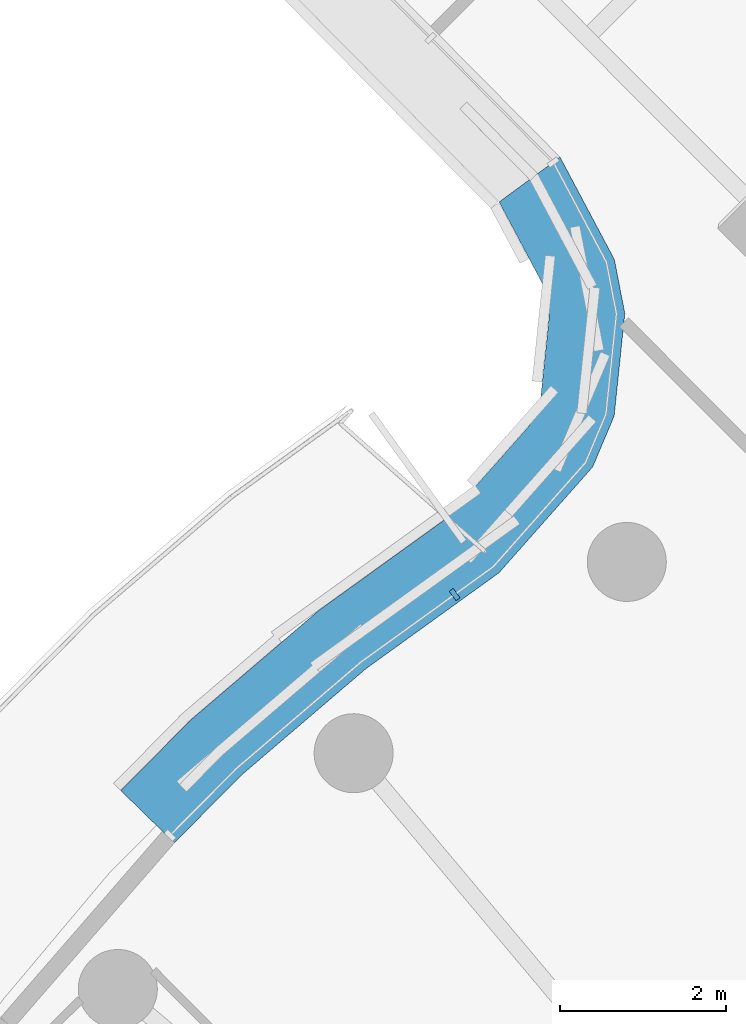
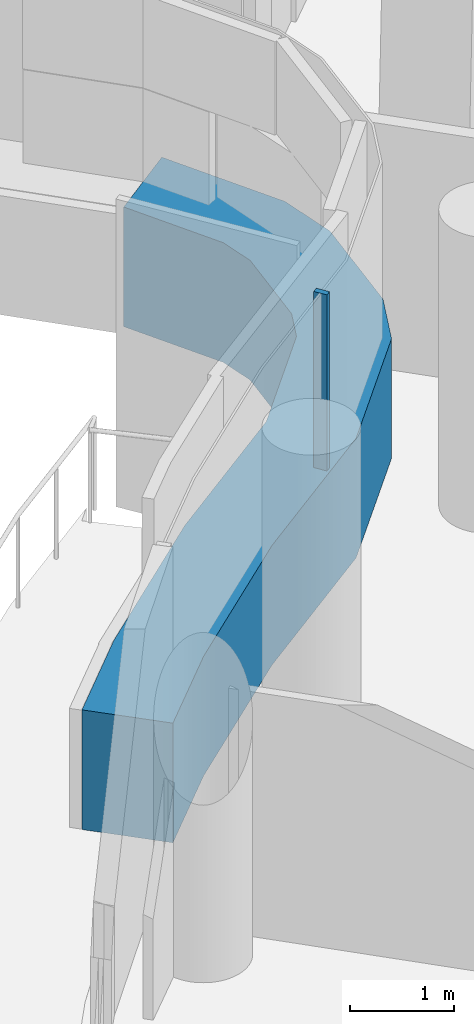
# One storey, part 10 of 31: 2 members, 1 element without a shape of its own.
"""IFC4 building model written with IfcOpenShell, lengths in metres."""

import ifcopenshell
import ifcopenshell.guid

model = None  # the IFC model being written
_history = None  # IfcOwnerHistory: only IFC2X3 demands one
_inside = {}  # id of a spatial element -> (the spatial element, [elements in it])
_under = {}  # id of a project, library or spatial element -> (it, [spatial elements below it])
_declared = {}  # id of a project -> (the project, [libraries it declares])
_typed = {}  # id of a type object -> (the type object, [elements of that type])
_made_of = {}  # id of a material, layer set ... -> (it, [elements and type objects made of it])


def new_model(schema):
    """Start an empty IFC model of exactly this schema.

    Asked for "IFC4X3", IfcOpenShell would pick the latest addendum, in which some entities
    have other attributes; the version numbers below select the first issue.
    IFC2X3 requires an IfcOwnerHistory on every rooted entity: one is made here for all.
    """
    global model, _history
    if schema == "IFC4X3":
        model = ifcopenshell.file(schema_version=(4, 3, 0, 0))
    else:
        model = ifcopenshell.file(schema=schema)
    _inside.clear()
    _under.clear()
    _declared.clear()
    _typed.clear()
    _made_of.clear()
    _history = None
    if model.schema == "IFC2X3":
        org = make("IfcOrganization", Name="unknown")
        user = make(
            "IfcPersonAndOrganization",
            ThePerson=make("IfcPerson", FamilyName="unknown"),
            TheOrganization=org,
        )
        app = make(
            "IfcApplication",
            ApplicationDeveloper=org,
            Version="unknown",
            ApplicationFullName="unknown",
            ApplicationIdentifier="unknown",
        )
        _history = make(
            "IfcOwnerHistory",
            OwningUser=user,
            OwningApplication=app,
            ChangeAction="ADDED",
            CreationDate=0,
        )
    return model


def make(cls, **values):
    """One entity of the class cls with the attributes given. An attribute that is None is left unset."""
    return model.create_entity(
        cls, **{name: value for name, value in values.items() if value is not None}
    )


def rooted(cls, **values):
    """An entity with a GlobalId (a new one), such as an element, a storey or a relation."""
    return make(cls, GlobalId=ifcopenshell.guid.new(), OwnerHistory=_history, **values)


def si_unit(unit_type, name, prefix=None):
    """IfcSIUnit, for example si_unit("LENGTHUNIT", "METRE", prefix="MILLI")."""
    return make("IfcSIUnit", UnitType=unit_type, Prefix=prefix, Name=name)


def assignment(units):
    """IfcUnitAssignment: the units of a project."""
    return None if units is None else make("IfcUnitAssignment", Units=units)


def point(xyz):
    """IfcCartesianPoint."""
    return None if xyz is None else make("IfcCartesianPoint", Coordinates=xyz)


def direction(xyz):
    """IfcDirection."""
    return None if xyz is None else make("IfcDirection", DirectionRatios=xyz)


def frame(location, z_axis=None, x_axis=None):
    """IfcAxis2Placement3D, a coordinate frame: its origin and axes. An axis left out is left unset."""
    return make(
        "IfcAxis2Placement3D",
        Location=point(location),
        Axis=direction(z_axis),
        RefDirection=direction(x_axis),
    )


def frame_2d(location, x_axis=None):
    """IfcAxis2Placement2D, a coordinate frame in the plane: its origin and x axis."""
    return make(
        "IfcAxis2Placement2D", Location=point(location), RefDirection=direction(x_axis)
    )


def origin():
    """The frame at (0, 0, 0) with its axes left unset."""
    return frame((0.0, 0.0, 0.0))


def origin_2d():
    """The frame at (0, 0) in the plane with its x axis left unset."""
    return frame_2d((0.0, 0.0))


def place(relative_to, where):
    """IfcLocalPlacement: puts the frame where relative to a parent placement (None: the world)."""
    return make(
        "IfcLocalPlacement", PlacementRelTo=relative_to, RelativePlacement=where
    )


def context(
    kind, dimensions, precision=None, world=None, true_north=None, identifier=None
):
    """IfcGeometricRepresentationContext, for example the 3D "Model" context."""
    return make(
        "IfcGeometricRepresentationContext",
        ContextIdentifier=identifier,
        ContextType=kind,
        CoordinateSpaceDimension=dimensions,
        Precision=precision,
        WorldCoordinateSystem=world,
        TrueNorth=true_north,
    )


def subcontext(parent, identifier, kind, view, scale=None):
    """IfcGeometricRepresentationSubContext, for example "Body" below "Model"."""
    return make(
        "IfcGeometricRepresentationSubContext",
        ContextIdentifier=identifier,
        ContextType=kind,
        ParentContext=parent,
        TargetScale=scale,
        TargetView=view,
    )


def project(units=None, contexts=None):
    """IfcProject with its units and contexts."""
    return rooted(
        "IfcProject",
        Name="project",
        RepresentationContexts=contexts,
        UnitsInContext=assignment(units),
    )


def spatial(cls, under=None, at=None, **own):
    """A site, building, storey or space (cls), placed at a placement, below another one or the project."""
    s = rooted(cls, ObjectPlacement=at, **own)
    if under is not None:
        _under.setdefault(under.id(), (under, []))[1].append(s)
    return s


def polyline(points):
    """IfcPolyline through the points."""
    return make("IfcPolyline", Points=[point(p) for p in points])


def profile(cls, at=None, kind="AREA", **sizes):
    """A parametric profile (cls). Its sizes go by their IFC names, for example OverallWidth=200.0."""
    return make(cls, ProfileType=kind, Position=at, **sizes)


def rectangle(**sizes):
    """IfcRectangleProfileDef."""
    return profile("IfcRectangleProfileDef", **sizes)


def outline(outer, holes=None, kind="AREA"):
    """IfcArbitraryClosedProfileDef: a profile drawn as a closed curve; with holes, ...WithVoids."""
    if holes is None:
        return make("IfcArbitraryClosedProfileDef", ProfileType=kind, OuterCurve=outer)
    return make(
        "IfcArbitraryProfileDefWithVoids",
        ProfileType=kind,
        OuterCurve=outer,
        InnerCurves=holes,
    )


def extrude(swept, where, along, depth):
    """IfcExtrudedAreaSolid: the profile swept, set in the frame where, extruded along a direction by depth."""
    return make(
        "IfcExtrudedAreaSolid",
        SweptArea=swept,
        Position=where,
        ExtrudedDirection=direction(along),
        Depth=depth,
    )


def shape(context_of_items, identifier, shape_type, items):
    """IfcShapeRepresentation: the items that make up one representation, for example the "Body"."""
    return make(
        "IfcShapeRepresentation",
        ContextOfItems=context_of_items,
        RepresentationIdentifier=identifier,
        RepresentationType=shape_type,
        Items=items,
    )


def material(Name=None, Category=None):
    """IfcMaterial."""
    return make("IfcMaterial", Name=Name, Category=Category)


def layer(
    of_material, thickness, ventilated=None, Name=None, Category=None, Priority=None
):
    """IfcMaterialLayer: one layer of a wall or slab, of a material (None: an air gap)."""
    return make(
        "IfcMaterialLayer",
        Material=of_material,
        LayerThickness=thickness,
        IsVentilated=ventilated,
        Name=Name,
        Category=Category,
        Priority=Priority,
    )


def layer_set(layers, Name=None):
    """IfcMaterialLayerSet."""
    return make("IfcMaterialLayerSet", MaterialLayers=layers, LayerSetName=Name)


def material_profile(
    of_material, cross_section, Name=None, Category=None, Priority=None
):
    """IfcMaterialProfile: a cross section and its material."""
    return make(
        "IfcMaterialProfile",
        Name=Name,
        Material=of_material,
        Profile=cross_section,
        Priority=Priority,
        Category=Category,
    )


def profile_set(profiles, Name=None, composite=None):
    """IfcMaterialProfileSet."""
    return make(
        "IfcMaterialProfileSet",
        Name=Name,
        MaterialProfiles=profiles,
        CompositeProfile=composite,
    )


def made_of(thing, what):
    """Note that an element or type object is made of a material, layer set ...; save() writes the relation."""
    if what is not None:
        _made_of.setdefault(what.id(), (what, []))[1].append(thing)
    return thing


def type_object(cls, material=None, **own):
    """A type object (cls), such as IfcWallType, which elements share."""
    return made_of(rooted(cls, **own), material)


def element(
    cls,
    number,
    at=None,
    inside=None,
    cuts=None,
    type_object=None,
    material=None,
    context=None,
    identifier="Body",
    shape_type=None,
    held_by="IfcProductDefinitionShape",
    body=None,
    shapes=None,
    **own,
):
    """One element of the class cls, such as IfcWall. Its Tag is "e" and its number.

    at: its placement. inside: the storey or other place that contains it. cuts: it is an
    opening in that element (IfcRelVoidsElement). A single representation is given by context,
    identifier, shape_type and body (its items); several are given by shapes. held_by: the class
    of the entity that holds the representations. save() writes the other relations.
    """
    e = rooted(cls, Tag="e%d" % number, ObjectPlacement=at, **own)
    if body is not None:
        shapes = [shape(context, identifier, shape_type, body)]
    if shapes is not None:
        e.Representation = make(held_by, Representations=shapes)
    if inside is not None:
        _inside.setdefault(inside.id(), (inside, []))[1].append(e)
    if cuts is not None:
        rooted(
            "IfcRelVoidsElement", RelatingBuildingElement=cuts, RelatedOpeningElement=e
        )
    if type_object is not None:
        _typed.setdefault(type_object.id(), (type_object, []))[1].append(e)
    return made_of(e, material)


def aggregate(whole, parts):
    """IfcRelAggregates: a whole, such as a stair, and the parts it consists of."""
    return rooted("IfcRelAggregates", RelatingObject=whole, RelatedObjects=parts)


def save(model, path):
    """Write the relations noted so far, then the file.

    IfcRelAggregates (storeys below a building ...), IfcRelContainedInSpatialStructure (elements
    in a storey), IfcRelDefinesByType, IfcRelAssociatesMaterial and IfcRelDeclares: one each for
    every whole, place, type object, material and project.
    """
    for whole, parts in _under.values():
        aggregate(whole, parts)
    for where, things in _inside.values():
        rooted(
            "IfcRelContainedInSpatialStructure",
            RelatedElements=things,
            RelatingStructure=where,
        )
    for kind, things in _typed.values():
        rooted("IfcRelDefinesByType", RelatedObjects=things, RelatingType=kind)
    for what, things in _made_of.values():
        rooted("IfcRelAssociatesMaterial", RelatedObjects=things, RelatingMaterial=what)
    for by, libraries in _declared.values():
        rooted("IfcRelDeclares", RelatingContext=by, RelatedDefinitions=libraries)
    model.write(path)


model = new_model("IFC4")

# Units and contexts
model_context = context("Model", 3, precision=1e-05, world=origin(), true_north=direction((0.0, 1.0)))
body_context = subcontext(model_context, "Body", "Model", "MODEL_VIEW")
ifc_project = project(units=[si_unit("LENGTHUNIT", "METRE"), si_unit("AREAUNIT", "SQUARE_METRE"), si_unit("VOLUMEUNIT", "CUBIC_METRE"), si_unit("PLANEANGLEUNIT", "RADIAN"), si_unit("MASSUNIT", "GRAM", prefix="KILO")], contexts=[model_context])

# Site, building, storey
site_placement = place(None, origin())
site = spatial("IfcSite", under=ifc_project, at=site_placement, CompositionType="ELEMENT")
building_placement = place(site_placement, origin())
building = spatial("IfcBuilding", under=site, at=building_placement, Name="Tamarind Cross Interchange Tower", CompositionType="ELEMENT")
storey_placement = place(building_placement, frame((0.0, 0.0, 196.89990234375)))
storey = spatial("IfcBuildingStorey", under=building, at=storey_placement, Name="L49", CompositionType="ELEMENT", Elevation=196.89990234375)

# Curtain wall, members
ifc_material_1 = material(Name="Aluminium 6063-T6", Category="aluminium")
ifc_layer = layer(ifc_material_1, 0.139892578125)
ifc_layer_set = layer_set([ifc_layer], Name="Aluminium 6063-T6")
curtain_wall_type = type_object("IfcCurtainWallType", Name="Hotel curtain wall, 4.5 m bays", PredefinedType="NOTDEFINED", material=ifc_layer_set)
curtain_wall_placement = place(storey_placement, origin())
curtain_wall = element("IfcCurtainWall", 1, at=curtain_wall_placement, inside=storey, type_object=curtain_wall_type, Name="CWS-L49-06", PredefinedType="NOTDEFINED")
ifc_material_2 = material(Name="Aluminium and insulated spandrel panel", Category="aluminium")
member_type_1 = type_object("IfcMemberType", Name="Floor-edge blade transom", PredefinedType="USERDEFINED", material=ifc_material_2)
member_1_placement = place(storey_placement, origin())
member_1 = element("IfcMember", 2, at=member_1_placement, type_object=member_type_1, Name="CWT-L49-06-0", ObjectType="TRANSOM", PredefinedType="USERDEFINED", context=body_context, shape_type="SweptSolid", body=[
    extrude(outline(polyline([(-12.302734375, 24.785400390625), (-11.649658203125, 23.55517578125), (-11.523681640625, 22.907470703125), (-11.652587890625, 21.6708984375), (-11.911376953125, 21.058837890625), (-13.03759765625, 19.787353515625), (-14.634521484375, 18.636474609375), (-16.12353515625, 17.3642578125), (-16.939208984375, 16.54150390625), (-17.583251953125, 17.170166015625), (-16.736572265625, 18.0244140625), (-15.19091796875, 19.344970703125), (-13.64501953125, 20.458984375), (-12.682861328125, 21.545166015625), (-12.533935546875, 21.897705078125), (-12.4326171875, 22.867431640625), (-12.50732421875, 23.251708984375), (-13.035400390625, 24.246337890625), (-12.302734375, 24.785400390625)])), origin(), (0.0, 0.0, 1.0), 1.400146484375),
])
ifc_material_profile = material_profile(ifc_material_1, rectangle(XDim=0.06005859375, YDim=0.139892578125, at=origin_2d()), Name="Mullion CW2")
ifc_profile_set = profile_set([ifc_material_profile], Name="Aluminium 6063-T6")
member_type_2 = type_object("IfcMemberType", Name="Mullion CW2", PredefinedType="MULLION", material=ifc_profile_set)
member_2_placement = place(storey_placement, frame((-13.570068359375, 19.526611328125, 1.400146484375), z_axis=(0.0, 0.0, 1.0), x_axis=(-0.811294273423, -0.584638009293, 0.0)))
member_2 = element("IfcMember", 3, at=member_2_placement, type_object=member_type_2, Name="CWM-L49-06-01", PredefinedType="MULLION", context=body_context, shape_type="SweptSolid", body=[
    extrude(rectangle(XDim=0.06005859375, YDim=0.139892578125, at=origin_2d()), origin(), (0.0, 0.0, 1.0), 2.06005859375),
])
aggregate(curtain_wall, [member_2, member_1])

save(model, "model.ifc")
